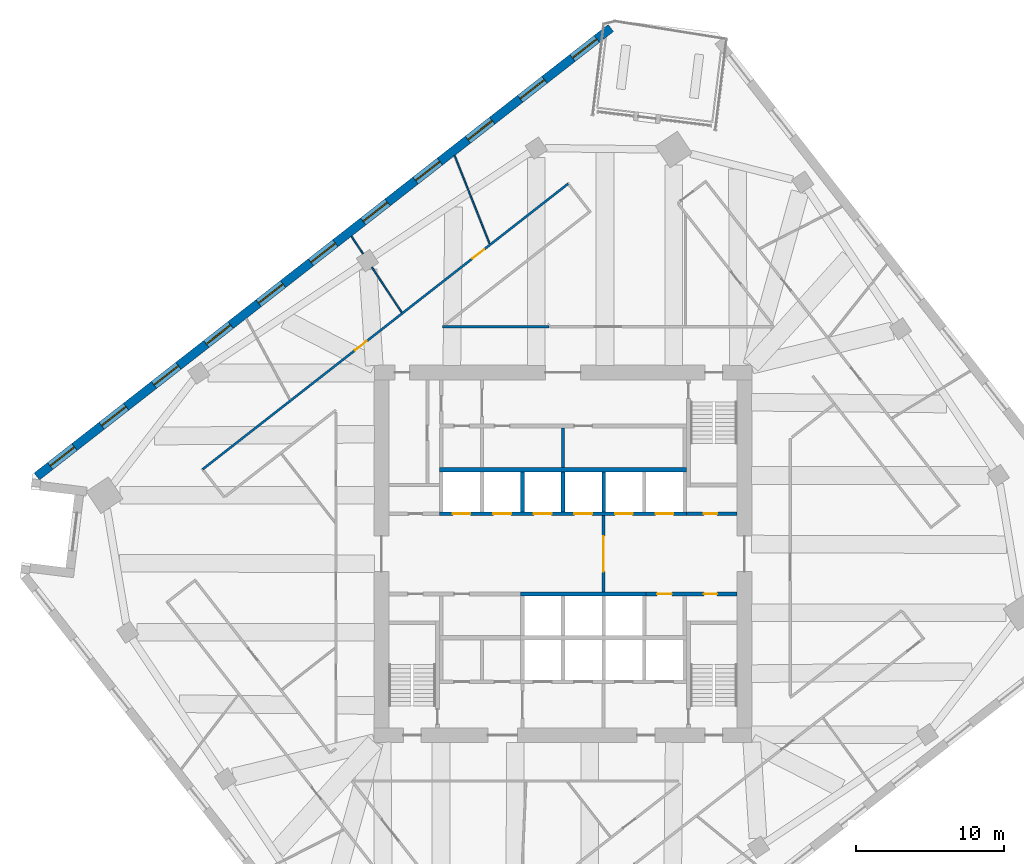
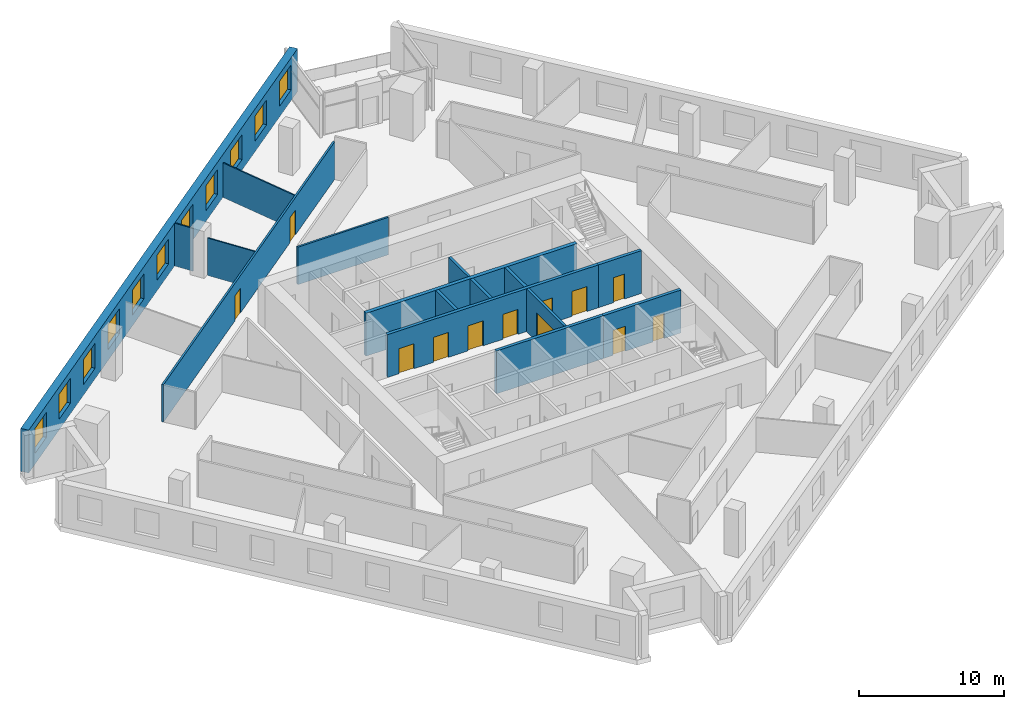
# One storey, part 7 of 11: 16 walls, 12 doors, 11 windows, 23 openings.
"""IFC4 building model written with IfcOpenShell, lengths in metres."""

from ifc_helpers import new_model, si_unit, direction, frame, frame_2d, origin, place, context, subcontext, project, spatial, rectangle, extrude, material, layer, layer_set, type_object, element, fill, save


model = new_model("IFC4")

# Units and contexts
model_context = context("Model", 3, precision=1e-05, world=origin(), true_north=direction((0.0, 1.0)))
body_context = subcontext(model_context, "Body", "Model", "MODEL_VIEW")
ifc_project = project(units=[si_unit("LENGTHUNIT", "METRE"), si_unit("AREAUNIT", "SQUARE_METRE"), si_unit("VOLUMEUNIT", "CUBIC_METRE"), si_unit("PLANEANGLEUNIT", "RADIAN"), si_unit("MASSUNIT", "GRAM", prefix="KILO")], contexts=[model_context])

# Site, building, storey
site_placement = place(None, origin())
site = spatial("IfcSite", under=ifc_project, at=site_placement, CompositionType="ELEMENT")
building_placement = place(site_placement, origin())
building = spatial("IfcBuilding", under=site, at=building_placement, Name="Dilmun Exchange Tower", CompositionType="ELEMENT")
storey_placement = place(building_placement, frame((0.0, 0.0, 175.699951171875)))
storey = spatial("IfcBuildingStorey", under=building, at=storey_placement, Name="L41", CompositionType="ELEMENT", Elevation=175.699951171875)

# Wall, opening, door
ifc_material_1 = material(Name="Concrete C40/50", Category="concrete")
ifc_layer_1 = layer(ifc_material_1, 0.199951171875)
ifc_layer_set_1 = layer_set([ifc_layer_1], Name="Concrete C40/50")
wall_type_1 = type_object("IfcWallType", Name="Core partition wall 200", PredefinedType="PARTITIONING", material=ifc_layer_set_1)
wall_1_placement = place(storey_placement, frame((2.75, -2.594970703125, 0.0), z_axis=(0.0, 0.0, 1.0), x_axis=(0.0, 1.0, 0.0)))
wall_1 = element("IfcWall", 1, at=wall_1_placement, inside=storey, type_object=wall_type_1, Name="L41 core partition wall 11", PredefinedType="PARTITIONING", context=body_context, shape_type="SweptSolid", body=[
    extrude(rectangle(XDim=5.18994140625, YDim=0.199951171875, at=frame_2d((2.594970703125, 0.0))), origin(), (0.0, 0.0, 1.0), 3.60009765625),
])
opening_1_placement = place(wall_1_placement, frame((1.39501953125, 0.0, 0.0)))
opening_1 = element("IfcOpeningElement", 2, at=opening_1_placement, cuts=wall_1, Name="Opening CD1", PredefinedType="OPENING", context=body_context, shape_type="SweptSolid", body=[
    extrude(rectangle(XDim=2.39990234375, YDim=2.39990234375, at=frame_2d((1.199951171875, 1.199951171875))), frame((0.0, 0.10986328125, 0.0), z_axis=(0.0, -1.0, 0.0), x_axis=(1.0, 0.0, 0.0)), (0.0, 0.0, 1.0), 0.219970703125),
])
ifc_material_2 = material(Name="Fire-rated steel door set", Category="steel")
door_type_1 = type_object("IfcDoorType", Name="Core lobby door 2400x2400", OperationType="DOUBLE_DOOR_DOUBLE_SWING", PredefinedType="DOOR", material=ifc_material_2)
door_1_placement = place(opening_1_placement, origin())
door_1 = element("IfcDoor", 3, at=door_1_placement, inside=storey, type_object=door_type_1, Name="L41 door Lift lobby east", OperationType="DOUBLE_DOOR_DOUBLE_SWING", OverallHeight=2.39990234375, OverallWidth=2.39990234375, PredefinedType="DOOR", context=body_context, shape_type="SweptSolid", body=[
    extrude(rectangle(XDim=2.39990234375, YDim=2.39990234375, at=frame_2d((1.199951171875, 1.199951171875))), frame((0.0, 0.02490234375, 0.0), z_axis=(0.0, -1.0, 0.0), x_axis=(1.0, 0.0, 0.0)), (0.0, 0.0, 1.0), 0.050048828125),
])
fill(opening_1, door_1)

# Wall
wall_2_placement = place(storey_placement, frame((0.0, 5.85498046875, 0.0), z_axis=(0.0, 0.0, 1.0), x_axis=(0.0, 1.0, 0.0)))
element("IfcWall", 4, at=wall_2_placement, inside=storey, type_object=wall_type_1, Name="L41 core partition wall 18", PredefinedType="PARTITIONING", context=body_context, shape_type="SweptSolid", body=[
    extrude(rectangle(XDim=2.68994140625, YDim=0.199951171875, at=frame_2d((1.344970703125, 0.0))), origin(), (0.0, 0.0, 1.0), 3.60009765625),
])

# Wall, openings, doors
ifc_layer_2 = layer(ifc_material_1, 0.25)
ifc_layer_set_2 = layer_set([ifc_layer_2], Name="Concrete C40/50")
wall_type_2 = type_object("IfcWallType", Name="Core partition wall 250", PredefinedType="PARTITIONING", material=ifc_layer_set_2)
wall_3_placement = place(storey_placement, frame((5.6298828125, -2.72509765625, 0.0), z_axis=(0.0, 0.0, 1.0), x_axis=(1.0, 0.0, 0.0)))
wall_3 = element("IfcWall", 5, at=wall_3_placement, inside=storey, type_object=wall_type_2, Name="L41 core partition wall 10", PredefinedType="PARTITIONING", context=body_context, shape_type="SweptSolid", body=[
    extrude(rectangle(XDim=6.1650390625, YDim=0.25, at=frame_2d((3.08251953125, 0.0))), origin(), (0.0, 0.0, 1.0), 3.60009765625),
])
opening_2_placement = place(wall_3_placement, frame((0.7451171875, 0.0, 0.0)))
opening_2 = element("IfcOpeningElement", 6, at=opening_2_placement, cuts=wall_3, Name="Opening CD4", PredefinedType="OPENING", context=body_context, shape_type="SweptSolid", body=[
    extrude(rectangle(XDim=1.0, YDim=2.10009765625, at=frame_2d((0.5, 1.050048828125))), frame((0.0, 0.135009765625, 0.0), z_axis=(0.0, -1.0, 0.0), x_axis=(1.0, 0.0, 0.0)), (0.0, 0.0, 1.0), 0.27001953125),
])
opening_3_placement = place(wall_3_placement, frame((3.919921875, 0.0, 0.0)))
opening_3 = element("IfcOpeningElement", 7, at=opening_3_placement, cuts=wall_3, Name="Opening CD6", PredefinedType="OPENING", context=body_context, shape_type="SweptSolid", body=[
    extrude(rectangle(XDim=0.89990234375, YDim=2.10009765625, at=frame_2d((0.449951171875, 1.050048828125))), frame((0.0, 0.135009765625, 0.0), z_axis=(0.0, -1.0, 0.0), x_axis=(1.0, 0.0, 0.0)), (0.0, 0.0, 1.0), 0.27001953125),
])
door_type_2 = type_object("IfcDoorType", Name="Core room door 1000x2100", OperationType="SINGLE_SWING_LEFT", PredefinedType="DOOR", material=ifc_material_2)
door_2_placement = place(opening_2_placement, origin())
door_2 = element("IfcDoor", 8, at=door_2_placement, inside=storey, type_object=door_type_2, Name="L41 door Cleaners' store", OperationType="SINGLE_SWING_RIGHT", OverallHeight=2.10009765625, OverallWidth=1.0, PredefinedType="DOOR", context=body_context, shape_type="SweptSolid", body=[
    extrude(rectangle(XDim=1.0, YDim=2.10009765625, at=frame_2d((0.5, 1.050048828125))), frame((0.0, 0.02490234375, 0.0), z_axis=(0.0, -1.0, 0.0), x_axis=(1.0, 0.0, 0.0)), (0.0, 0.0, 1.0), 0.050048828125),
])
fill(opening_2, door_2)
door_type_3 = type_object("IfcDoorType", Name="Core room door 900x2100", OperationType="SINGLE_SWING_LEFT", PredefinedType="DOOR", material=ifc_material_2)
door_3_placement = place(opening_3_placement, origin())
door_3 = element("IfcDoor", 9, at=door_3_placement, inside=storey, type_object=door_type_3, Name="L41 door Comms riser", OperationType="SINGLE_SWING_RIGHT", OverallHeight=2.10009765625, OverallWidth=0.89990234375, PredefinedType="DOOR", context=body_context, shape_type="SweptSolid", body=[
    extrude(rectangle(XDim=0.89990234375, YDim=2.10009765625, at=frame_2d((0.449951171875, 1.050048828125))), frame((0.0, 0.02490234375, 0.0), z_axis=(0.0, -1.0, 0.0), x_axis=(1.0, 0.0, 0.0)), (0.0, 0.0, 1.0), 0.050048828125),
])
fill(opening_3, door_3)

# Wall, opening, door
wall_4_placement = place(storey_placement, frame((8.3798828125, 2.72509765625, 0.0), z_axis=(0.0, 0.0, 1.0), x_axis=(1.0, 0.0, 0.0)))
wall_4 = element("IfcWall", 10, at=wall_4_placement, inside=storey, type_object=wall_type_2, Name="L41 core partition wall 13", PredefinedType="PARTITIONING", context=body_context, shape_type="SweptSolid", body=[
    extrude(rectangle(XDim=3.4150390625, YDim=0.25, at=frame_2d((1.70751953125, 0.0))), origin(), (0.0, 0.0, 1.0), 3.60009765625),
])
opening_4_placement = place(wall_4_placement, frame((1.169921875, 0.0, 0.0)))
opening_4 = element("IfcOpeningElement", 11, at=opening_4_placement, cuts=wall_4, Name="Opening CD6", PredefinedType="OPENING", context=body_context, shape_type="SweptSolid", body=[
    extrude(rectangle(XDim=0.89990234375, YDim=2.10009765625, at=frame_2d((0.449951171875, 1.050048828125))), frame((0.0, 0.135009765625, 0.0), z_axis=(0.0, -1.0, 0.0), x_axis=(1.0, 0.0, 0.0)), (0.0, 0.0, 1.0), 0.27001953125),
])
door_4_placement = place(opening_4_placement, origin())
door_4 = element("IfcDoor", 12, at=door_4_placement, inside=storey, type_object=door_type_3, Name="L41 door Electrical riser", OperationType="SINGLE_SWING_RIGHT", OverallHeight=2.10009765625, OverallWidth=0.89990234375, PredefinedType="DOOR", context=body_context, shape_type="SweptSolid", body=[
    extrude(rectangle(XDim=0.89990234375, YDim=2.10009765625, at=frame_2d((0.449951171875, 1.050048828125))), frame((0.0, 0.02490234375, 0.0), z_axis=(0.0, -1.0, 0.0), x_axis=(1.0, 0.0, 0.0)), (0.0, 0.0, 1.0), 0.050048828125),
])
fill(opening_4, door_4)

# Wall, openings, doors
ifc_material_3 = material(Name="Corridor wall 150")
ifc_layer_3 = layer(ifc_material_3, 0.14990234375)
ifc_layer_set_3 = layer_set([ifc_layer_3], Name="Corridor wall 150")
wall_type_3 = type_object("IfcWallType", Name="Corridor wall 150", PredefinedType="PARTITIONING", material=ifc_layer_set_3)
wall_5_placement = place(storey_placement, frame((-24.43310546875, 5.73388671875, 0.0), z_axis=(0.0, 0.0, 1.0), x_axis=(0.788010131951, 0.615662271008, 0.0)))
wall_5 = element("IfcWall", 13, at=wall_5_placement, inside=storey, type_object=wall_type_3, Name="Corridor wall", PredefinedType="PARTITIONING", context=body_context, shape_type="SweptSolid", body=[
    extrude(rectangle(XDim=31.447509765625, YDim=0.14990234375, at=frame_2d((15.7236328125, 0.0))), origin(), (0.0, 0.0, 1.0), 3.150146484375),
])
opening_5_placement = place(wall_5_placement, frame((13.107666015625, 0.0, 0.0)))
opening_5 = element("IfcOpeningElement", 14, at=opening_5_placement, cuts=wall_5, Name="Opening TF41-D06", PredefinedType="OPENING", context=body_context, shape_type="SweptSolid", body=[
    extrude(rectangle(XDim=1.0, YDim=2.10009765625, at=frame_2d((0.5, 1.050048828125))), frame((0.0, 0.0849609375, 0.0), z_axis=(0.0, -1.0, 0.0), x_axis=(1.0, 0.0, 0.0)), (0.0, 0.0, 1.0), 0.169921875),
])
opening_6_placement = place(wall_5_placement, frame((23.2265625, 0.0, 0.0)))
opening_6 = element("IfcOpeningElement", 15, at=opening_6_placement, cuts=wall_5, Name="Opening TF41-D09", PredefinedType="OPENING", context=body_context, shape_type="SweptSolid", body=[
    extrude(rectangle(XDim=1.0, YDim=2.10009765625, at=frame_2d((0.5, 1.050048828125))), frame((0.0, 0.0849609375, 0.0), z_axis=(0.0, -1.0, 0.0), x_axis=(1.0, 0.0, 0.0)), (0.0, 0.0, 1.0), 0.169921875),
])
ifc_material_4 = material(Name="Fire door 1000 x 2100")
door_type_4 = type_object("IfcDoorType", Name="Fire door 1000 x 2100", OperationType="NOTDEFINED", PredefinedType="DOOR", material=ifc_material_4)
door_5_placement = place(opening_5_placement, origin())
door_5 = element("IfcDoor", 16, at=door_5_placement, inside=storey, type_object=door_type_4, Name="Door TF41-D06", OperationType="SINGLE_SWING_LEFT", OverallHeight=2.10009765625, OverallWidth=1.0, PredefinedType="DOOR", context=body_context, shape_type="SweptSolid", body=[
    extrude(rectangle(XDim=1.0, YDim=2.10009765625, at=frame_2d((0.5, 1.050048828125))), frame((0.0, 0.02490234375, 0.0), z_axis=(0.0, -1.0, 0.0), x_axis=(1.0, 0.0, 0.0)), (0.0, 0.0, 1.0), 0.050048828125),
])
fill(opening_5, door_5)
door_6_placement = place(opening_6_placement, origin())
door_6 = element("IfcDoor", 17, at=door_6_placement, inside=storey, type_object=door_type_4, Name="Door TF41-D09", OperationType="SINGLE_SWING_RIGHT", OverallHeight=2.10009765625, OverallWidth=1.0, PredefinedType="DOOR", context=body_context, shape_type="SweptSolid", body=[
    extrude(rectangle(XDim=1.0, YDim=2.10009765625, at=frame_2d((0.5, 1.050048828125))), frame((0.0, 0.02490234375, 0.0), z_axis=(0.0, -1.0, 0.0), x_axis=(1.0, 0.0, 0.0)), (0.0, 0.0, 1.0), 0.050048828125),
])
fill(opening_6, door_6)

# Walls
wall_6_placement = place(storey_placement, frame((-8.1630859375, 15.39990234375, 0.0), z_axis=(0.0, 0.0, 1.0), x_axis=(1.0, 0.0, 0.0)))
element("IfcWall", 18, at=wall_6_placement, inside=storey, type_object=wall_type_3, Name="Corridor wall", PredefinedType="PARTITIONING", context=body_context, shape_type="SweptSolid", body=[
    extrude(rectangle(XDim=7.211181640625, YDim=0.14990234375, at=frame_2d((3.60546875, 0.0))), origin(), (0.0, 0.0, 1.0), 3.150146484375),
])
ifc_layer_4 = layer(ifc_material_1, 0.300048828125)
ifc_layer_set_4 = layer_set([ifc_layer_4], Name="Concrete C40/50")
wall_type_4 = type_object("IfcWallType", Name="Lift shaft shared wall 300", PredefinedType="SOLIDWALL", material=ifc_layer_set_4)
wall_7_placement = place(storey_placement, frame((-8.375, 5.699951171875, 0.0), z_axis=(0.0, 0.0, 1.0), x_axis=(1.0, 0.0, 0.0)))
element("IfcWall", 19, at=wall_7_placement, inside=storey, type_object=wall_type_4, Name="L41 lift shaft rear wall N", PredefinedType="SOLIDWALL", context=body_context, shape_type="SweptSolid", body=[
    extrude(rectangle(XDim=16.75, YDim=0.300048828125, at=frame_2d((8.375, 0.0))), origin(), (0.0, 0.0, 1.0), 3.60009765625),
])

# Wall, openings, doors
ifc_layer_5 = layer(ifc_material_1, 0.25)
ifc_layer_set_5 = layer_set([ifc_layer_5], Name="Concrete C40/50")
wall_type_5 = type_object("IfcWallType", Name="Lift shaft wall 250", PredefinedType="SOLIDWALL", material=ifc_layer_set_5)
wall_8_placement = place(storey_placement, frame((-8.375, 2.72509765625, 0.0), z_axis=(0.0, 0.0, 1.0), x_axis=(1.0, 0.0, 0.0)))
wall_8 = element("IfcWall", 20, at=wall_8_placement, inside=storey, type_object=wall_type_5, Name="L41 lift shaft front wall N1", PredefinedType="SOLIDWALL", context=body_context, shape_type="SweptSolid", body=[
    extrude(rectangle(XDim=16.75, YDim=0.25, at=frame_2d((8.375, 0.0))), origin(), (0.0, 0.0, 1.0), 3.60009765625),
])
opening_7_placement = place(wall_8_placement, frame((0.89990234375, 0.0, 0.0)))
opening_7 = element("IfcOpeningElement", 21, at=opening_7_placement, cuts=wall_8, Name="Opening LD", PredefinedType="OPENING", context=body_context, shape_type="SweptSolid", body=[
    extrude(rectangle(XDim=1.199951171875, YDim=2.10009765625, at=frame_2d((0.60009765625, 1.050048828125))), frame((0.0, 0.135009765625, 0.0), z_axis=(0.0, -1.0, 0.0), x_axis=(1.0, 0.0, 0.0)), (0.0, 0.0, 1.0), 0.27001953125),
])
opening_8_placement = place(wall_8_placement, frame((3.64990234375, 0.0, 0.0)))
opening_8 = element("IfcOpeningElement", 22, at=opening_8_placement, cuts=wall_8, Name="Opening LD", PredefinedType="OPENING", context=body_context, shape_type="SweptSolid", body=[
    extrude(rectangle(XDim=1.199951171875, YDim=2.10009765625, at=frame_2d((0.60009765625, 1.050048828125))), frame((0.0, 0.135009765625, 0.0), z_axis=(0.0, -1.0, 0.0), x_axis=(1.0, 0.0, 0.0)), (0.0, 0.0, 1.0), 0.27001953125),
])
opening_9_placement = place(wall_8_placement, frame((6.39990234375, 0.0, 0.0)))
opening_9 = element("IfcOpeningElement", 23, at=opening_9_placement, cuts=wall_8, Name="Opening LD", PredefinedType="OPENING", context=body_context, shape_type="SweptSolid", body=[
    extrude(rectangle(XDim=1.199951171875, YDim=2.10009765625, at=frame_2d((0.60009765625, 1.050048828125))), frame((0.0, 0.135009765625, 0.0), z_axis=(0.0, -1.0, 0.0), x_axis=(1.0, 0.0, 0.0)), (0.0, 0.0, 1.0), 0.27001953125),
])
opening_10_placement = place(wall_8_placement, frame((9.14990234375, 0.0, 0.0)))
opening_10 = element("IfcOpeningElement", 24, at=opening_10_placement, cuts=wall_8, Name="Opening LD", PredefinedType="OPENING", context=body_context, shape_type="SweptSolid", body=[
    extrude(rectangle(XDim=1.199951171875, YDim=2.10009765625, at=frame_2d((0.60009765625, 1.050048828125))), frame((0.0, 0.135009765625, 0.0), z_axis=(0.0, -1.0, 0.0), x_axis=(1.0, 0.0, 0.0)), (0.0, 0.0, 1.0), 0.27001953125),
])
opening_11_placement = place(wall_8_placement, frame((11.89990234375, 0.0, 0.0)))
opening_11 = element("IfcOpeningElement", 25, at=opening_11_placement, cuts=wall_8, Name="Opening LD", PredefinedType="OPENING", context=body_context, shape_type="SweptSolid", body=[
    extrude(rectangle(XDim=1.199951171875, YDim=2.10009765625, at=frame_2d((0.60009765625, 1.050048828125))), frame((0.0, 0.135009765625, 0.0), z_axis=(0.0, -1.0, 0.0), x_axis=(1.0, 0.0, 0.0)), (0.0, 0.0, 1.0), 0.27001953125),
])
opening_12_placement = place(wall_8_placement, frame((14.64990234375, 0.0, 0.0)))
opening_12 = element("IfcOpeningElement", 26, at=opening_12_placement, cuts=wall_8, Name="Opening LD", PredefinedType="OPENING", context=body_context, shape_type="SweptSolid", body=[
    extrude(rectangle(XDim=1.199951171875, YDim=2.10009765625, at=frame_2d((0.60009765625, 1.050048828125))), frame((0.0, 0.135009765625, 0.0), z_axis=(0.0, -1.0, 0.0), x_axis=(1.0, 0.0, 0.0)), (0.0, 0.0, 1.0), 0.27001953125),
])
door_type_5 = type_object("IfcDoorType", Name="Lift landing door 1200x2100", OperationType="DOUBLE_DOOR_SLIDING", PredefinedType="DOOR", material=ifc_material_2)
door_7_placement = place(opening_7_placement, origin())
door_7 = element("IfcDoor", 27, at=door_7_placement, inside=storey, type_object=door_type_5, Name="L41 landing door MR1", OperationType="DOUBLE_DOOR_SLIDING", OverallHeight=2.10009765625, OverallWidth=1.199951171875, PredefinedType="DOOR", context=body_context, shape_type="SweptSolid", body=[
    extrude(rectangle(XDim=1.199951171875, YDim=2.10009765625, at=frame_2d((0.60009765625, 1.050048828125))), frame((0.0, 0.02490234375, 0.0), z_axis=(0.0, -1.0, 0.0), x_axis=(1.0, 0.0, 0.0)), (0.0, 0.0, 1.0), 0.050048828125),
])
fill(opening_7, door_7)
door_8_placement = place(opening_8_placement, origin())
door_8 = element("IfcDoor", 28, at=door_8_placement, inside=storey, type_object=door_type_5, Name="L41 landing door MR2", OperationType="DOUBLE_DOOR_SLIDING", OverallHeight=2.10009765625, OverallWidth=1.199951171875, PredefinedType="DOOR", context=body_context, shape_type="SweptSolid", body=[
    extrude(rectangle(XDim=1.199951171875, YDim=2.10009765625, at=frame_2d((0.60009765625, 1.050048828125))), frame((0.0, 0.02490234375, 0.0), z_axis=(0.0, -1.0, 0.0), x_axis=(1.0, 0.0, 0.0)), (0.0, 0.0, 1.0), 0.050048828125),
])
fill(opening_8, door_8)
door_9_placement = place(opening_9_placement, origin())
door_9 = element("IfcDoor", 29, at=door_9_placement, inside=storey, type_object=door_type_5, Name="L41 landing door MR3", OperationType="DOUBLE_DOOR_SLIDING", OverallHeight=2.10009765625, OverallWidth=1.199951171875, PredefinedType="DOOR", context=body_context, shape_type="SweptSolid", body=[
    extrude(rectangle(XDim=1.199951171875, YDim=2.10009765625, at=frame_2d((0.60009765625, 1.050048828125))), frame((0.0, 0.02490234375, 0.0), z_axis=(0.0, -1.0, 0.0), x_axis=(1.0, 0.0, 0.0)), (0.0, 0.0, 1.0), 0.050048828125),
])
fill(opening_9, door_9)
door_10_placement = place(opening_10_placement, origin())
door_10 = element("IfcDoor", 30, at=door_10_placement, inside=storey, type_object=door_type_5, Name="L41 landing door MR4", OperationType="DOUBLE_DOOR_SLIDING", OverallHeight=2.10009765625, OverallWidth=1.199951171875, PredefinedType="DOOR", context=body_context, shape_type="SweptSolid", body=[
    extrude(rectangle(XDim=1.199951171875, YDim=2.10009765625, at=frame_2d((0.60009765625, 1.050048828125))), frame((0.0, 0.02490234375, 0.0), z_axis=(0.0, -1.0, 0.0), x_axis=(1.0, 0.0, 0.0)), (0.0, 0.0, 1.0), 0.050048828125),
])
fill(opening_10, door_10)
door_11_placement = place(opening_11_placement, origin())
door_11 = element("IfcDoor", 31, at=door_11_placement, inside=storey, type_object=door_type_5, Name="L41 landing door MR5", OperationType="DOUBLE_DOOR_SLIDING", OverallHeight=2.10009765625, OverallWidth=1.199951171875, PredefinedType="DOOR", context=body_context, shape_type="SweptSolid", body=[
    extrude(rectangle(XDim=1.199951171875, YDim=2.10009765625, at=frame_2d((0.60009765625, 1.050048828125))), frame((0.0, 0.02490234375, 0.0), z_axis=(0.0, -1.0, 0.0), x_axis=(1.0, 0.0, 0.0)), (0.0, 0.0, 1.0), 0.050048828125),
])
fill(opening_11, door_11)
door_12_placement = place(opening_12_placement, origin())
door_12 = element("IfcDoor", 32, at=door_12_placement, inside=storey, type_object=door_type_5, Name="L41 landing door MR6", OperationType="DOUBLE_DOOR_SLIDING", OverallHeight=2.10009765625, OverallWidth=1.199951171875, PredefinedType="DOOR", context=body_context, shape_type="SweptSolid", body=[
    extrude(rectangle(XDim=1.199951171875, YDim=2.10009765625, at=frame_2d((0.60009765625, 1.050048828125))), frame((0.0, 0.02490234375, 0.0), z_axis=(0.0, -1.0, 0.0), x_axis=(1.0, 0.0, 0.0)), (0.0, 0.0, 1.0), 0.050048828125),
])
fill(opening_12, door_12)

# Walls
for number, where, z_axis, x_axis, name in (
    (33, (-2.75, 2.85009765625, 0.0), (0.0, 0.0, 1.0), (0.0, 1.0, 0.0), "L41 lift shaft divider N12"),
    (34, (0.0, 2.85009765625, 0.0), (0.0, 0.0, 1.0), (0.0, 1.0, 0.0), "L41 lift shaft divider N13"),
    (35, (2.75, 2.85009765625, 0.0), (0.0, 0.0, 1.0), (0.0, 1.0, 0.0), "L41 lift shaft divider N14"),
):
    element("IfcWall", number, at=place(storey_placement, frame(where, z_axis=z_axis, x_axis=x_axis)), inside=storey, type_object=wall_type_5, Name=name, PredefinedType="SOLIDWALL", context=body_context, shape_type="SweptSolid", body=[
        extrude(rectangle(XDim=2.699951171875, YDim=0.25, at=frame_2d((1.35009765625, 0.0))), origin(), (0.0, 0.0, 1.0), 3.60009765625),
    ])
wall_9_placement = place(storey_placement, frame((-2.875, -2.72509765625, 0.0), z_axis=(0.0, 0.0, 1.0), x_axis=(1.0, 0.0, 0.0)))
element("IfcWall", 36, at=wall_9_placement, inside=storey, type_object=wall_type_5, Name="L41 lift shaft front wall S1", PredefinedType="SOLIDWALL", context=body_context, shape_type="SweptSolid", body=[
    extrude(rectangle(XDim=8.5, YDim=0.25, at=frame_2d((4.25, 0.0))), origin(), (0.0, 0.0, 1.0), 3.60009765625),
])
ifc_material_5 = material(Name="Partition 100")
ifc_layer_6 = layer(ifc_material_5, 0.10009765625)
ifc_layer_set_6 = layer_set([ifc_layer_6], Name="Partition 100")
wall_type_6 = type_object("IfcWallType", Name="Partition 100", PredefinedType="PARTITIONING", material=ifc_layer_set_6)
wall_10_placement = place(storey_placement, frame((-14.344482421875, 21.531005859375, 0.0), z_axis=(0.0, 0.0, 1.0), x_axis=(0.550851774101, -0.834603093075, 0.0)))
element("IfcWall", 37, at=wall_10_placement, inside=storey, type_object=wall_type_6, Name="Partition", PredefinedType="PARTITIONING", context=body_context, shape_type="SweptSolid", body=[
    extrude(rectangle(XDim=1.42236328125, YDim=0.10009765625, at=frame_2d((0.711181640625, 0.0))), origin(), (0.0, 0.0, 1.0), 3.60009765625),
])
wall_11_placement = place(storey_placement, frame((-12.955078125, 19.42578125, 0.0), z_axis=(0.0, 0.0, 1.0), x_axis=(0.55082545929, -0.834620460687, 0.0)))
element("IfcWall", 38, at=wall_11_placement, inside=storey, type_object=wall_type_6, Name="Partition", PredefinedType="PARTITIONING", context=body_context, shape_type="SweptSolid", body=[
    extrude(rectangle(XDim=3.6552734375, YDim=0.10009765625, at=frame_2d((1.82763671875, 0.0))), origin(), (0.0, 0.0, 1.0), 3.150146484375),
])
wall_12_placement = place(storey_placement, frame((-7.35107421875, 26.994873046875, 0.0), z_axis=(0.0, 0.0, 1.0), x_axis=(0.369457986925, -0.929247435239, 0.0)))
element("IfcWall", 39, at=wall_12_placement, inside=storey, type_object=wall_type_6, Name="Partition", PredefinedType="PARTITIONING", context=body_context, shape_type="SweptSolid", body=[
    extrude(rectangle(XDim=6.40576171875, YDim=0.10009765625, at=frame_2d((3.202880859375, 0.0))), origin(), (0.0, 0.0, 1.0), 2.900146484375),
])

# Wall, openings, windows
ifc_material_6 = material(Name="Precast concrete C50/60", Category="concrete")
ifc_layer_7 = layer(ifc_material_6, 0.60009765625)
ifc_layer_set_7 = layer_set([ifc_layer_7], Name="Precast concrete C50/60")
wall_type_7 = type_object("IfcWallType", Name="Precast stone-clad wall 600", PredefinedType="STANDARD", material=ifc_layer_set_7)
wall_13_placement = place(storey_placement, frame((3.237548828125, 35.65087890625, 0.0), z_axis=(0.0, 0.0, 1.0), x_axis=(-0.788009530914, -0.615663040298, 0.0)))
wall_13 = element("IfcWall", 40, at=wall_13_placement, inside=storey, type_object=wall_type_7, Name="Facade wall L41-03", PredefinedType="STANDARD", context=body_context, shape_type="SweptSolid", body=[
    extrude(rectangle(XDim=49.3759765625, YDim=0.60009765625, at=frame_2d((24.68798828125, 0.0))), origin(), (0.0, 0.0, 1.0), 3.60009765625),
])
opening_13_placement = place(wall_13_placement, frame((1.199951171875, 0.0, 0.89990234375)))
opening_13 = element("IfcOpeningElement", 41, at=opening_13_placement, cuts=wall_13, Name="Opening W210-210", PredefinedType="OPENING", context=body_context, shape_type="SweptSolid", body=[
    extrude(rectangle(XDim=2.10009765625, YDim=2.10009765625, at=frame_2d((1.050048828125, 1.050048828125))), frame((0.0, 0.31005859375, 0.0), z_axis=(0.0, -1.0, 0.0), x_axis=(1.0, 0.0, 0.0)), (0.0, 0.0, 1.0), 0.6201171875),
])
opening_14_placement = place(wall_13_placement, frame((5.699951171875, 0.0, 0.89990234375)))
opening_14 = element("IfcOpeningElement", 42, at=opening_14_placement, cuts=wall_13, Name="Opening W210-210", PredefinedType="OPENING", context=body_context, shape_type="SweptSolid", body=[
    extrude(rectangle(XDim=2.10009765625, YDim=2.10009765625, at=frame_2d((1.050048828125, 1.050048828125))), frame((0.0, 0.31005859375, 0.0), z_axis=(0.0, -1.0, 0.0), x_axis=(1.0, 0.0, 0.0)), (0.0, 0.0, 1.0), 0.6201171875),
])
opening_15_placement = place(wall_13_placement, frame((10.199951171875, 0.0, 0.89990234375)))
opening_15 = element("IfcOpeningElement", 43, at=opening_15_placement, cuts=wall_13, Name="Opening W210-210", PredefinedType="OPENING", context=body_context, shape_type="SweptSolid", body=[
    extrude(rectangle(XDim=2.10009765625, YDim=2.10009765625, at=frame_2d((1.050048828125, 1.050048828125))), frame((0.0, 0.31005859375, 0.0), z_axis=(0.0, -1.0, 0.0), x_axis=(1.0, 0.0, 0.0)), (0.0, 0.0, 1.0), 0.6201171875),
])
opening_16_placement = place(wall_13_placement, frame((14.699951171875, 0.0, 0.89990234375)))
opening_16 = element("IfcOpeningElement", 44, at=opening_16_placement, cuts=wall_13, Name="Opening W210-210", PredefinedType="OPENING", context=body_context, shape_type="SweptSolid", body=[
    extrude(rectangle(XDim=2.10009765625, YDim=2.10009765625, at=frame_2d((1.050048828125, 1.050048828125))), frame((0.0, 0.31005859375, 0.0), z_axis=(0.0, -1.0, 0.0), x_axis=(1.0, 0.0, 0.0)), (0.0, 0.0, 1.0), 0.6201171875),
])
opening_17_placement = place(wall_13_placement, frame((19.199951171875, 0.0, 0.89990234375)))
opening_17 = element("IfcOpeningElement", 45, at=opening_17_placement, cuts=wall_13, Name="Opening W210-210", PredefinedType="OPENING", context=body_context, shape_type="SweptSolid", body=[
    extrude(rectangle(XDim=2.10009765625, YDim=2.10009765625, at=frame_2d((1.050048828125, 1.050048828125))), frame((0.0, 0.31005859375, 0.0), z_axis=(0.0, -1.0, 0.0), x_axis=(1.0, 0.0, 0.0)), (0.0, 0.0, 1.0), 0.6201171875),
])
opening_18_placement = place(wall_13_placement, frame((23.699951171875, 0.0, 0.89990234375)))
opening_18 = element("IfcOpeningElement", 46, at=opening_18_placement, cuts=wall_13, Name="Opening W210-210", PredefinedType="OPENING", context=body_context, shape_type="SweptSolid", body=[
    extrude(rectangle(XDim=2.10009765625, YDim=2.10009765625, at=frame_2d((1.050048828125, 1.050048828125))), frame((0.0, 0.31005859375, 0.0), z_axis=(0.0, -1.0, 0.0), x_axis=(1.0, 0.0, 0.0)), (0.0, 0.0, 1.0), 0.6201171875),
])
opening_19_placement = place(wall_13_placement, frame((28.199951171875, 0.0, 0.89990234375)))
opening_19 = element("IfcOpeningElement", 47, at=opening_19_placement, cuts=wall_13, Name="Opening W210-210", PredefinedType="OPENING", context=body_context, shape_type="SweptSolid", body=[
    extrude(rectangle(XDim=2.10009765625, YDim=2.10009765625, at=frame_2d((1.050048828125, 1.050048828125))), frame((0.0, 0.31005859375, 0.0), z_axis=(0.0, -1.0, 0.0), x_axis=(1.0, 0.0, 0.0)), (0.0, 0.0, 1.0), 0.6201171875),
])
opening_20_placement = place(wall_13_placement, frame((32.699951171875, 0.0, 0.89990234375)))
opening_20 = element("IfcOpeningElement", 48, at=opening_20_placement, cuts=wall_13, Name="Opening W210-210", PredefinedType="OPENING", context=body_context, shape_type="SweptSolid", body=[
    extrude(rectangle(XDim=2.10009765625, YDim=2.10009765625, at=frame_2d((1.050048828125, 1.050048828125))), frame((0.0, 0.31005859375, 0.0), z_axis=(0.0, -1.0, 0.0), x_axis=(1.0, 0.0, 0.0)), (0.0, 0.0, 1.0), 0.6201171875),
])
opening_21_placement = place(wall_13_placement, frame((37.199951171875, 0.0, 0.89990234375)))
opening_21 = element("IfcOpeningElement", 49, at=opening_21_placement, cuts=wall_13, Name="Opening W210-210", PredefinedType="OPENING", context=body_context, shape_type="SweptSolid", body=[
    extrude(rectangle(XDim=2.10009765625, YDim=2.10009765625, at=frame_2d((1.050048828125, 1.050048828125))), frame((0.0, 0.31005859375, 0.0), z_axis=(0.0, -1.0, 0.0), x_axis=(1.0, 0.0, 0.0)), (0.0, 0.0, 1.0), 0.6201171875),
])
opening_22_placement = place(wall_13_placement, frame((41.699951171875, 0.0, 0.89990234375)))
opening_22 = element("IfcOpeningElement", 50, at=opening_22_placement, cuts=wall_13, Name="Opening W210-210", PredefinedType="OPENING", context=body_context, shape_type="SweptSolid", body=[
    extrude(rectangle(XDim=2.10009765625, YDim=2.10009765625, at=frame_2d((1.050048828125, 1.050048828125))), frame((0.0, 0.31005859375, 0.0), z_axis=(0.0, -1.0, 0.0), x_axis=(1.0, 0.0, 0.0)), (0.0, 0.0, 1.0), 0.6201171875),
])
opening_23_placement = place(wall_13_placement, frame((46.137939453125, 0.0, 0.89990234375)))
opening_23 = element("IfcOpeningElement", 51, at=opening_23_placement, cuts=wall_13, Name="Opening W210-210", PredefinedType="OPENING", context=body_context, shape_type="SweptSolid", body=[
    extrude(rectangle(XDim=2.10009765625, YDim=2.10009765625, at=frame_2d((1.050048828125, 1.050048828125))), frame((0.0, 0.31005859375, 0.0), z_axis=(0.0, -1.0, 0.0), x_axis=(1.0, 0.0, 0.0)), (0.0, 0.0, 1.0), 0.6201171875),
])
ifc_material_7 = material(Name="Clear low-emissivity glass in aluminium frame", Category="aluminium")
window_type = type_object("IfcWindowType", Name="Punched window 2100 x 2100", PartitioningType="DOUBLE_PANEL_VERTICAL", PredefinedType="WINDOW", material=ifc_material_7)
window_1_placement = place(opening_13_placement, origin())
window_1 = element("IfcWindow", 52, at=window_1_placement, inside=storey, type_object=window_type, Name="Window 4.1", OverallHeight=2.10009765625, OverallWidth=2.10009765625, PartitioningType="SINGLE_PANEL", PredefinedType="WINDOW", context=body_context, shape_type="SweptSolid", body=[
    extrude(rectangle(XDim=2.10009765625, YDim=2.10009765625, at=frame_2d((1.050048828125, 1.050048828125))), frame((0.0, 0.030029296875, 0.0), z_axis=(0.0, -1.0, 0.0), x_axis=(1.0, 0.0, 0.0)), (0.0, 0.0, 1.0), 0.06005859375),
])
fill(opening_13, window_1)
window_2_placement = place(opening_14_placement, origin())
window_2 = element("IfcWindow", 53, at=window_2_placement, inside=storey, type_object=window_type, Name="Window 4.2", OverallHeight=2.10009765625, OverallWidth=2.10009765625, PartitioningType="SINGLE_PANEL", PredefinedType="WINDOW", context=body_context, shape_type="SweptSolid", body=[
    extrude(rectangle(XDim=2.10009765625, YDim=2.10009765625, at=frame_2d((1.050048828125, 1.050048828125))), frame((0.0, 0.030029296875, 0.0), z_axis=(0.0, -1.0, 0.0), x_axis=(1.0, 0.0, 0.0)), (0.0, 0.0, 1.0), 0.06005859375),
])
fill(opening_14, window_2)
window_3_placement = place(opening_15_placement, origin())
window_3 = element("IfcWindow", 54, at=window_3_placement, inside=storey, type_object=window_type, Name="Window 4.3", OverallHeight=2.10009765625, OverallWidth=2.10009765625, PartitioningType="SINGLE_PANEL", PredefinedType="WINDOW", context=body_context, shape_type="SweptSolid", body=[
    extrude(rectangle(XDim=2.10009765625, YDim=2.10009765625, at=frame_2d((1.050048828125, 1.050048828125))), frame((0.0, 0.030029296875, 0.0), z_axis=(0.0, -1.0, 0.0), x_axis=(1.0, 0.0, 0.0)), (0.0, 0.0, 1.0), 0.06005859375),
])
fill(opening_15, window_3)
window_4_placement = place(opening_16_placement, origin())
window_4 = element("IfcWindow", 55, at=window_4_placement, inside=storey, type_object=window_type, Name="Window 4.4", OverallHeight=2.10009765625, OverallWidth=2.10009765625, PartitioningType="SINGLE_PANEL", PredefinedType="WINDOW", context=body_context, shape_type="SweptSolid", body=[
    extrude(rectangle(XDim=2.10009765625, YDim=2.10009765625, at=frame_2d((1.050048828125, 1.050048828125))), frame((0.0, 0.030029296875, 0.0), z_axis=(0.0, -1.0, 0.0), x_axis=(1.0, 0.0, 0.0)), (0.0, 0.0, 1.0), 0.06005859375),
])
fill(opening_16, window_4)
window_5_placement = place(opening_17_placement, origin())
window_5 = element("IfcWindow", 56, at=window_5_placement, inside=storey, type_object=window_type, Name="Window 4.5", OverallHeight=2.10009765625, OverallWidth=2.10009765625, PartitioningType="SINGLE_PANEL", PredefinedType="WINDOW", context=body_context, shape_type="SweptSolid", body=[
    extrude(rectangle(XDim=2.10009765625, YDim=2.10009765625, at=frame_2d((1.050048828125, 1.050048828125))), frame((0.0, 0.030029296875, 0.0), z_axis=(0.0, -1.0, 0.0), x_axis=(1.0, 0.0, 0.0)), (0.0, 0.0, 1.0), 0.06005859375),
])
fill(opening_17, window_5)
window_6_placement = place(opening_18_placement, origin())
window_6 = element("IfcWindow", 57, at=window_6_placement, inside=storey, type_object=window_type, Name="Window 4.6", OverallHeight=2.10009765625, OverallWidth=2.10009765625, PartitioningType="SINGLE_PANEL", PredefinedType="WINDOW", context=body_context, shape_type="SweptSolid", body=[
    extrude(rectangle(XDim=2.10009765625, YDim=2.10009765625, at=frame_2d((1.050048828125, 1.050048828125))), frame((0.0, 0.030029296875, 0.0), z_axis=(0.0, -1.0, 0.0), x_axis=(1.0, 0.0, 0.0)), (0.0, 0.0, 1.0), 0.06005859375),
])
fill(opening_18, window_6)
window_7_placement = place(opening_19_placement, origin())
window_7 = element("IfcWindow", 58, at=window_7_placement, inside=storey, type_object=window_type, Name="Window 4.7", OverallHeight=2.10009765625, OverallWidth=2.10009765625, PartitioningType="SINGLE_PANEL", PredefinedType="WINDOW", context=body_context, shape_type="SweptSolid", body=[
    extrude(rectangle(XDim=2.10009765625, YDim=2.10009765625, at=frame_2d((1.050048828125, 1.050048828125))), frame((0.0, 0.030029296875, 0.0), z_axis=(0.0, -1.0, 0.0), x_axis=(1.0, 0.0, 0.0)), (0.0, 0.0, 1.0), 0.06005859375),
])
fill(opening_19, window_7)
window_8_placement = place(opening_20_placement, origin())
window_8 = element("IfcWindow", 59, at=window_8_placement, inside=storey, type_object=window_type, Name="Window 4.8", OverallHeight=2.10009765625, OverallWidth=2.10009765625, PartitioningType="SINGLE_PANEL", PredefinedType="WINDOW", context=body_context, shape_type="SweptSolid", body=[
    extrude(rectangle(XDim=2.10009765625, YDim=2.10009765625, at=frame_2d((1.050048828125, 1.050048828125))), frame((0.0, 0.030029296875, 0.0), z_axis=(0.0, -1.0, 0.0), x_axis=(1.0, 0.0, 0.0)), (0.0, 0.0, 1.0), 0.06005859375),
])
fill(opening_20, window_8)
window_9_placement = place(opening_21_placement, origin())
window_9 = element("IfcWindow", 60, at=window_9_placement, inside=storey, type_object=window_type, Name="Window 4.9", OverallHeight=2.10009765625, OverallWidth=2.10009765625, PartitioningType="SINGLE_PANEL", PredefinedType="WINDOW", context=body_context, shape_type="SweptSolid", body=[
    extrude(rectangle(XDim=2.10009765625, YDim=2.10009765625, at=frame_2d((1.050048828125, 1.050048828125))), frame((0.0, 0.030029296875, 0.0), z_axis=(0.0, -1.0, 0.0), x_axis=(1.0, 0.0, 0.0)), (0.0, 0.0, 1.0), 0.06005859375),
])
fill(opening_21, window_9)
window_10_placement = place(opening_22_placement, origin())
window_10 = element("IfcWindow", 61, at=window_10_placement, inside=storey, type_object=window_type, Name="Window 4.10", OverallHeight=2.10009765625, OverallWidth=2.10009765625, PartitioningType="SINGLE_PANEL", PredefinedType="WINDOW", context=body_context, shape_type="SweptSolid", body=[
    extrude(rectangle(XDim=2.10009765625, YDim=2.10009765625, at=frame_2d((1.050048828125, 1.050048828125))), frame((0.0, 0.030029296875, 0.0), z_axis=(0.0, -1.0, 0.0), x_axis=(1.0, 0.0, 0.0)), (0.0, 0.0, 1.0), 0.06005859375),
])
fill(opening_22, window_10)
window_11_placement = place(opening_23_placement, origin())
window_11 = element("IfcWindow", 62, at=window_11_placement, inside=storey, type_object=window_type, Name="Window 4.11", OverallHeight=2.10009765625, OverallWidth=2.10009765625, PartitioningType="SINGLE_PANEL", PredefinedType="WINDOW", context=body_context, shape_type="SweptSolid", body=[
    extrude(rectangle(XDim=2.10009765625, YDim=2.10009765625, at=frame_2d((1.050048828125, 1.050048828125))), frame((0.0, 0.030029296875, 0.0), z_axis=(0.0, -1.0, 0.0), x_axis=(1.0, 0.0, 0.0)), (0.0, 0.0, 1.0), 0.06005859375),
])
fill(opening_23, window_11)

save(model, "model.ifc")
